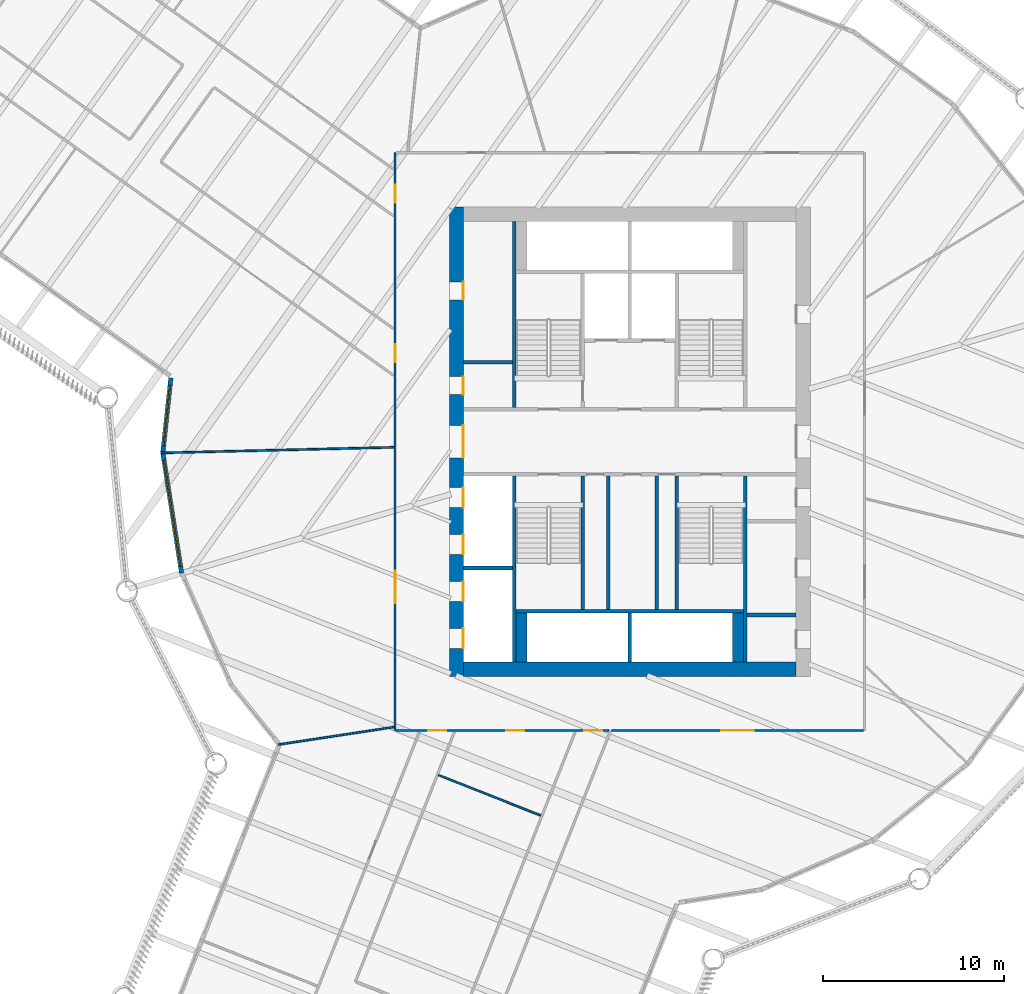
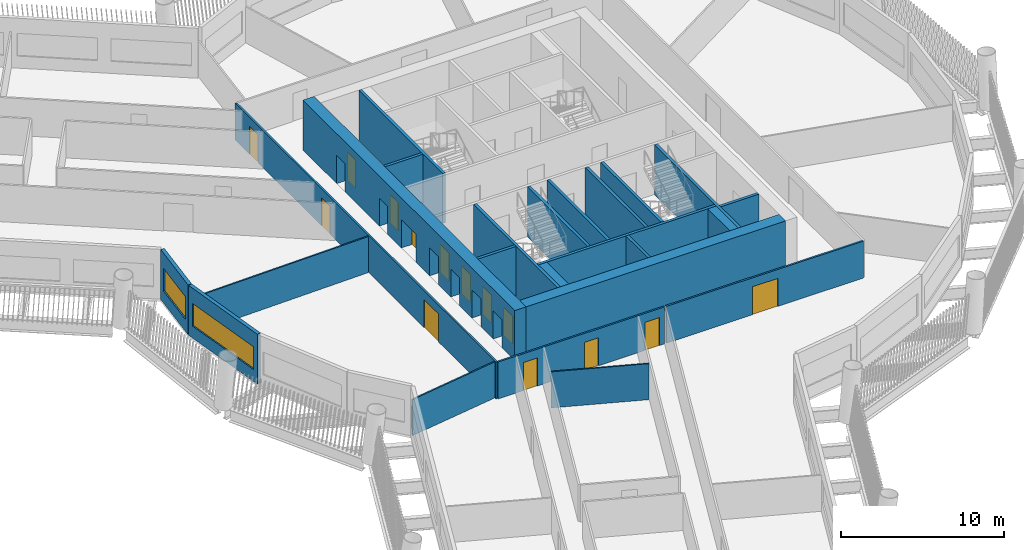
# One storey, part 4 of 17: 24 walls, 14 doors, 2 windows, 16 openings.
"""IFC4 building model written with IfcOpenShell, lengths in metres."""

from ifc_helpers import new_model, si_unit, direction, frame, frame_2d, origin, place, context, subcontext, project, spatial, rectangle, extrude, material, layer, layer_set, type_object, element, fill, save


model = new_model("IFC4")

# Units and contexts
model_context = context("Model", 3, precision=1e-05, world=origin(), true_north=direction((0.0, 1.0)))
body_context = subcontext(model_context, "Body", "Model", "MODEL_VIEW")
ifc_project = project(units=[si_unit("LENGTHUNIT", "METRE"), si_unit("AREAUNIT", "SQUARE_METRE"), si_unit("VOLUMEUNIT", "CUBIC_METRE"), si_unit("PLANEANGLEUNIT", "RADIAN"), si_unit("MASSUNIT", "GRAM", prefix="KILO")], contexts=[model_context])

# Site, building, storey
site_placement = place(None, origin())
site = spatial("IfcSite", under=ifc_project, at=site_placement, CompositionType="ELEMENT")
building_placement = place(site_placement, origin())
building = spatial("IfcBuilding", under=site, at=building_placement, Name="Tarsis Ring Headquarters", CompositionType="ELEMENT")
storey_placement = place(building_placement, frame((0.0, 0.0, 127.89990234375)))
storey = spatial("IfcBuildingStorey", under=building, at=storey_placement, Name="L29", CompositionType="ELEMENT", Elevation=127.89990234375)

# Walls
ifc_material_1 = material(Name="Blockwork", Category="masonry")
ifc_layer_1 = layer(ifc_material_1, 0.199951171875)
ifc_layer_set_1 = layer_set([ifc_layer_1], Name="Core blockwork wall 200")
wall_type_1 = type_object("IfcWallType", Name="Core blockwork wall 200", PredefinedType="PARTITIONING", material=ifc_layer_set_1)
for number, where, z_axis, x_axis, name in (
    (1, (-9.199951171875, 4.39990234375, 0.0), (0.0, 0.0, 1.0), (1.0, 0.0, 0.0), "Core partition WD5"),
    (2, (6.5, -9.60009765625, 0.0), (0.0, 0.0, 1.0), (1.0, 0.0, 0.0), "Core partition ED1"),
):
    element("IfcWall", number, at=place(storey_placement, frame(where, z_axis=z_axis, x_axis=x_axis)), inside=storey, type_object=wall_type_1, Name=name, PredefinedType="PARTITIONING", context=body_context, shape_type="SweptSolid", body=[
        extrude(rectangle(XDim=2.699951171875, YDim=0.199951171875, at=frame_2d((1.35009765625, 0.0))), origin(), (0.0, 0.0, 1.0), 3.739990234375),
    ])
for number, where, z_axis, x_axis, name in (
    (3, (-1.199951171875, -9.300048828125, 0.0), (0.0, 0.0, 1.0), (0.0, 1.0, 0.0), "Core partition SV1"),
    (4, (1.5, -9.300048828125, 0.0), (0.0, 0.0, 1.0), (0.0, 1.0, 0.0), "Core partition SV2"),
):
    element("IfcWall", number, at=place(storey_placement, frame(where, z_axis=z_axis, x_axis=x_axis)), inside=storey, type_object=wall_type_1, Name=name, PredefinedType="PARTITIONING", context=body_context, shape_type="SweptSolid", body=[
        extrude(rectangle(XDim=7.400146484375, YDim=0.199951171875, at=frame_2d((3.7001953125, 0.0))), origin(), (0.0, 0.0, 1.0), 3.739990234375),
    ])

# Wall, openings, doors
ifc_material_2 = material(Name="Concrete C60/75", Category="concrete")
ifc_layer_2 = layer(ifc_material_2, 0.800048828125)
ifc_layer_set_2 = layer_set([ifc_layer_2], Name="Core wall 800 C60/75")
wall_type_2 = type_object("IfcWallType", Name="Core wall 800 C60/75", PredefinedType="SHEAR", material=ifc_layer_set_2)
wall_1_placement = place(storey_placement, frame((-9.60009765625, -13.0, 0.0), z_axis=(0.0, 0.0, 1.0), x_axis=(0.0, 1.0, 0.0)))
wall_1 = element("IfcWall", 5, at=wall_1_placement, inside=storey, type_object=wall_type_2, Name="Core wall OW", PredefinedType="SHEAR", context=body_context, shape_type="SweptSolid", body=[
    extrude(rectangle(XDim=26.0, YDim=0.800048828125, at=frame_2d((13.0, 0.0))), origin(), (0.0, 0.0, 1.0), 3.739990234375),
])
opening_1_placement = place(wall_1_placement, frame((1.550048828125, 0.0, 0.0)))
opening_1 = element("IfcOpeningElement", 6, at=opening_1_placement, cuts=wall_1, Name="Opening LD-LR1", PredefinedType="OPENING", context=body_context, shape_type="SweptSolid", body=[
    extrude(rectangle(XDim=1.10009765625, YDim=2.10009765625, at=frame_2d((0.550048828125, 1.050048828125))), frame((0.0, 0.409912109375, 0.0), z_axis=(0.0, -1.0, 0.0), x_axis=(1.0, 0.0, 0.0)), (0.0, 0.0, 1.0), 0.820068359375),
])
opening_2_placement = place(wall_1_placement, frame((4.14990234375, 0.0, 0.0)))
opening_2 = element("IfcOpeningElement", 7, at=opening_2_placement, cuts=wall_1, Name="Opening LD-LR2", PredefinedType="OPENING", context=body_context, shape_type="SweptSolid", body=[
    extrude(rectangle(XDim=1.10009765625, YDim=2.10009765625, at=frame_2d((0.550048828125, 1.050048828125))), frame((0.0, 0.409912109375, 0.0), z_axis=(0.0, -1.0, 0.0), x_axis=(1.0, 0.0, 0.0)), (0.0, 0.0, 1.0), 0.820068359375),
])
opening_3_placement = place(wall_1_placement, frame((6.75, 0.0, 0.0)))
opening_3 = element("IfcOpeningElement", 8, at=opening_3_placement, cuts=wall_1, Name="Opening LD-LR3", PredefinedType="OPENING", context=body_context, shape_type="SweptSolid", body=[
    extrude(rectangle(XDim=1.10009765625, YDim=2.10009765625, at=frame_2d((0.550048828125, 1.050048828125))), frame((0.0, 0.409912109375, 0.0), z_axis=(0.0, -1.0, 0.0), x_axis=(1.0, 0.0, 0.0)), (0.0, 0.0, 1.0), 0.820068359375),
])
opening_4_placement = place(wall_1_placement, frame((9.35009765625, 0.0, 0.0)))
opening_4 = element("IfcOpeningElement", 9, at=opening_4_placement, cuts=wall_1, Name="Opening LD-LR4", PredefinedType="OPENING", context=body_context, shape_type="SweptSolid", body=[
    extrude(rectangle(XDim=1.10009765625, YDim=2.10009765625, at=frame_2d((0.550048828125, 1.050048828125))), frame((0.0, 0.409912109375, 0.0), z_axis=(0.0, -1.0, 0.0), x_axis=(1.0, 0.0, 0.0)), (0.0, 0.0, 1.0), 0.820068359375),
])
opening_5_placement = place(wall_1_placement, frame((12.10009765625, 0.0, 0.0)))
opening_5 = element("IfcOpeningElement", 10, at=opening_5_placement, cuts=wall_1, Name="Opening L29-C05", PredefinedType="OPENING", context=body_context, shape_type="SweptSolid", body=[
    extrude(rectangle(XDim=1.800048828125, YDim=2.10009765625, at=frame_2d((0.89990234375, 1.050048828125))), frame((0.0, 0.409912109375, 0.0), z_axis=(0.0, -1.0, 0.0), x_axis=(1.0, 0.0, 0.0)), (0.0, 0.0, 1.0), 0.820068359375),
])
opening_6_placement = place(wall_1_placement, frame((15.60009765625, 0.0, 0.0)))
opening_6 = element("IfcOpeningElement", 11, at=opening_6_placement, cuts=wall_1, Name="Opening L29-C06", PredefinedType="OPENING", context=body_context, shape_type="SweptSolid", body=[
    extrude(rectangle(XDim=1.0, YDim=2.10009765625, at=frame_2d((0.5, 1.050048828125))), frame((0.0, 0.409912109375, 0.0), z_axis=(0.0, -1.0, 0.0), x_axis=(1.0, 0.0, 0.0)), (0.0, 0.0, 1.0), 0.820068359375),
])
opening_7_placement = place(wall_1_placement, frame((20.85009765625, 0.0, 0.0)))
opening_7 = element("IfcOpeningElement", 12, at=opening_7_placement, cuts=wall_1, Name="Opening L29-C07", PredefinedType="OPENING", context=body_context, shape_type="SweptSolid", body=[
    extrude(rectangle(XDim=1.0, YDim=2.10009765625, at=frame_2d((0.5, 1.050048828125))), frame((0.0, 0.409912109375, 0.0), z_axis=(0.0, -1.0, 0.0), x_axis=(1.0, 0.0, 0.0)), (0.0, 0.0, 1.0), 0.820068359375),
])
ifc_material_3 = material(Name="Steel S355", Category="steel")
door_type_1 = type_object("IfcDoorType", Name="Core entry door 1800x2100", OperationType="DOUBLE_DOOR_SINGLE_SWING", PredefinedType="DOOR", material=ifc_material_3)
door_1_placement = place(opening_5_placement, origin())
door_1 = element("IfcDoor", 13, at=door_1_placement, inside=storey, type_object=door_type_1, Name="Core entry door L29", OperationType="DOUBLE_DOOR_SINGLE_SWING", OverallHeight=2.10009765625, OverallWidth=1.800048828125, PredefinedType="DOOR", context=body_context, shape_type="SweptSolid", body=[
    extrude(rectangle(XDim=1.800048828125, YDim=2.10009765625, at=frame_2d((0.89990234375, 1.050048828125))), frame((0.0, -0.35009765625, 0.0), z_axis=(0.0, -1.0, 0.0), x_axis=(1.0, 0.0, 0.0)), (0.0, 0.0, 1.0), 0.050048828125),
])
fill(opening_5, door_1)
door_type_2 = type_object("IfcDoorType", Name="Core room door 1000x2100", OperationType="SINGLE_SWING_LEFT", PredefinedType="DOOR", material=ifc_material_3)
door_2_placement = place(opening_6_placement, origin())
door_2 = element("IfcDoor", 14, at=door_2_placement, inside=storey, type_object=door_type_2, Name="Core room door L29", OperationType="SINGLE_SWING_LEFT", OverallHeight=2.10009765625, OverallWidth=1.0, PredefinedType="DOOR", context=body_context, shape_type="SweptSolid", body=[
    extrude(rectangle(XDim=1.0, YDim=2.10009765625, at=frame_2d((0.5, 1.050048828125))), frame((0.0, -0.35009765625, 0.0), z_axis=(0.0, -1.0, 0.0), x_axis=(1.0, 0.0, 0.0)), (0.0, 0.0, 1.0), 0.050048828125),
])
fill(opening_6, door_2)
door_3_placement = place(opening_7_placement, origin())
door_3 = element("IfcDoor", 15, at=door_3_placement, inside=storey, type_object=door_type_2, Name="Core room door L29", OperationType="SINGLE_SWING_LEFT", OverallHeight=2.10009765625, OverallWidth=1.0, PredefinedType="DOOR", context=body_context, shape_type="SweptSolid", body=[
    extrude(rectangle(XDim=1.0, YDim=2.10009765625, at=frame_2d((0.5, 1.050048828125))), frame((0.0, -0.35009765625, 0.0), z_axis=(0.0, -1.0, 0.0), x_axis=(1.0, 0.0, 0.0)), (0.0, 0.0, 1.0), 0.050048828125),
])
fill(opening_7, door_3)
door_type_3 = type_object("IfcDoorType", Name="Landing door 1100x2100", OperationType="SLIDING_TO_LEFT", PredefinedType="DOOR", material=ifc_material_3)
door_4_placement = place(opening_1_placement, origin())
door_4 = element("IfcDoor", 16, at=door_4_placement, inside=storey, type_object=door_type_3, Name="Landing door LR1 L29", OperationType="SLIDING_TO_LEFT", OverallHeight=2.10009765625, OverallWidth=1.10009765625, PredefinedType="DOOR", context=body_context, shape_type="SweptSolid", body=[
    extrude(rectangle(XDim=1.10009765625, YDim=2.10009765625, at=frame_2d((0.550048828125, 1.050048828125))), frame((0.0, -0.35009765625, 0.0), z_axis=(0.0, -1.0, 0.0), x_axis=(1.0, 0.0, 0.0)), (0.0, 0.0, 1.0), 0.050048828125),
])
fill(opening_1, door_4)
door_5_placement = place(opening_2_placement, origin())
door_5 = element("IfcDoor", 17, at=door_5_placement, inside=storey, type_object=door_type_3, Name="Landing door LR2 L29", OperationType="SLIDING_TO_LEFT", OverallHeight=2.10009765625, OverallWidth=1.10009765625, PredefinedType="DOOR", context=body_context, shape_type="SweptSolid", body=[
    extrude(rectangle(XDim=1.10009765625, YDim=2.10009765625, at=frame_2d((0.550048828125, 1.050048828125))), frame((0.0, -0.35009765625, 0.0), z_axis=(0.0, -1.0, 0.0), x_axis=(1.0, 0.0, 0.0)), (0.0, 0.0, 1.0), 0.050048828125),
])
fill(opening_2, door_5)
door_6_placement = place(opening_3_placement, origin())
door_6 = element("IfcDoor", 18, at=door_6_placement, inside=storey, type_object=door_type_3, Name="Landing door LR3 L29", OperationType="SLIDING_TO_LEFT", OverallHeight=2.10009765625, OverallWidth=1.10009765625, PredefinedType="DOOR", context=body_context, shape_type="SweptSolid", body=[
    extrude(rectangle(XDim=1.10009765625, YDim=2.10009765625, at=frame_2d((0.550048828125, 1.050048828125))), frame((0.0, -0.35009765625, 0.0), z_axis=(0.0, -1.0, 0.0), x_axis=(1.0, 0.0, 0.0)), (0.0, 0.0, 1.0), 0.050048828125),
])
fill(opening_3, door_6)
door_7_placement = place(opening_4_placement, origin())
door_7 = element("IfcDoor", 19, at=door_7_placement, inside=storey, type_object=door_type_3, Name="Landing door LR4 L29", OperationType="SLIDING_TO_LEFT", OverallHeight=2.10009765625, OverallWidth=1.10009765625, PredefinedType="DOOR", context=body_context, shape_type="SweptSolid", body=[
    extrude(rectangle(XDim=1.10009765625, YDim=2.10009765625, at=frame_2d((0.550048828125, 1.050048828125))), frame((0.0, -0.35009765625, 0.0), z_axis=(0.0, -1.0, 0.0), x_axis=(1.0, 0.0, 0.0)), (0.0, 0.0, 1.0), 0.050048828125),
])
fill(opening_4, door_7)

# Walls
wall_2_placement = place(storey_placement, frame((-9.199951171875, -12.60009765625, 0.0), z_axis=(0.0, 0.0, 1.0), x_axis=(1.0, 0.0, 0.0)))
element("IfcWall", 20, at=wall_2_placement, inside=storey, type_object=wall_type_2, Name="Core wall OS", PredefinedType="SHEAR", context=body_context, shape_type="SweptSolid", body=[
    extrude(rectangle(XDim=18.39990234375, YDim=0.800048828125, at=frame_2d((9.199951171875, 0.0))), origin(), (0.0, 0.0, 1.0), 3.739990234375),
])
ifc_material_4 = material(Name="Gypsum board on steel studs", Category="steel")
ifc_layer_3 = layer(ifc_material_4, 0.10009765625)
ifc_layer_set_3 = layer_set([ifc_layer_3], Name="FL partition 100 unrated")
wall_type_3 = type_object("IfcWallType", Name="FL partition 100 unrated", PredefinedType="PARTITIONING", material=ifc_layer_set_3)
wall_3_placement = place(storey_placement, frame((-25.940185546875, -0.625, 0.0), z_axis=(0.0, 0.0, 1.0), x_axis=(0.999709929508, 0.024084369271, 0.0)))
element("IfcWall", 21, at=wall_3_placement, inside=storey, type_object=wall_type_3, Name="Partition PW3", PredefinedType="PARTITIONING", context=body_context, shape_type="SweptSolid", body=[
    extrude(rectangle(XDim=12.873779296875, YDim=0.10009765625, at=frame_2d((6.43701171875, 0.0))), origin(), (0.0, 0.0, 1.0), 2.7001953125),
])
wall_4_placement = place(storey_placement, frame((-19.47900390625, -16.782958984375, 0.0), z_axis=(0.0, 0.0, 1.0), x_axis=(0.988679640403, 0.15004188966, 0.0)))
element("IfcWall", 22, at=wall_4_placement, inside=storey, type_object=wall_type_3, Name="Partition PW3", PredefinedType="PARTITIONING", context=body_context, shape_type="SweptSolid", body=[
    extrude(rectangle(XDim=6.482666015625, YDim=0.10009765625, at=frame_2d((3.2412109375, 0.0))), origin(), (0.0, 0.0, 1.0), 2.7001953125),
])
wall_5_placement = place(storey_placement, frame((-10.58935546875, -18.467529296875, 0.0), z_axis=(0.0, 0.0, 1.0), x_axis=(0.92964621007, -0.36845342189, 0.0)))
element("IfcWall", 23, at=wall_5_placement, inside=storey, type_object=wall_type_3, Name="Partition PW3", PredefinedType="PARTITIONING", context=body_context, shape_type="SweptSolid", body=[
    extrude(rectangle(XDim=6.080078125, YDim=0.10009765625, at=frame_2d((3.0400390625, 0.0))), origin(), (0.0, 0.0, 1.0), 2.7001953125),
])

# Wall, openings, doors
ifc_layer_4 = layer(ifc_material_4, 0.125)
ifc_layer_set_4 = layer_set([ifc_layer_4], Name="FL partition 125 EI 60 H2770")
wall_type_4 = type_object("IfcWallType", Name="FL partition 125 EI 60 H2770", PredefinedType="PARTITIONING", material=ifc_layer_set_4)
wall_6_placement = place(storey_placement, frame((-13.0, -16.0, 0.0), z_axis=(0.0, 0.0, 1.0), x_axis=(0.0, 1.0, 0.0)))
wall_6 = element("IfcWall", 24, at=wall_6_placement, inside=storey, type_object=wall_type_4, Name="Partition PW1", PredefinedType="PARTITIONING", context=body_context, shape_type="SweptSolid", body=[
    extrude(rectangle(XDim=32.0, YDim=0.125, at=frame_2d((16.0, 0.0))), origin(), (0.0, 0.0, 1.0), 2.77001953125),
])
opening_8_placement = place(wall_6_placement, frame((7.04150390625, 0.0, 0.0)))
opening_8 = element("IfcOpeningElement", 25, at=opening_8_placement, cuts=wall_6, Name="Opening D29.14", PredefinedType="OPENING", context=body_context, shape_type="SweptSolid", body=[
    extrude(rectangle(XDim=1.800048828125, YDim=2.10009765625, at=frame_2d((0.89990234375, 1.050048828125))), frame((0.0, 0.072509765625, 0.0), z_axis=(0.0, -1.0, 0.0), x_axis=(1.0, 0.0, 0.0)), (0.0, 0.0, 1.0), 0.14501953125),
])
opening_9_placement = place(wall_6_placement, frame((20.397705078125, 0.0, 0.0)))
opening_9 = element("IfcOpeningElement", 26, at=opening_9_placement, cuts=wall_6, Name="Opening D29.21", PredefinedType="OPENING", context=body_context, shape_type="SweptSolid", body=[
    extrude(rectangle(XDim=1.0, YDim=2.10009765625, at=frame_2d((0.5, 1.050048828125))), frame((0.0, 0.072509765625, 0.0), z_axis=(0.0, -1.0, 0.0), x_axis=(1.0, 0.0, 0.0)), (0.0, 0.0, 1.0), 0.14501953125),
])
opening_10_placement = place(wall_6_placement, frame((29.230224609375, 0.0, 0.0)))
opening_10 = element("IfcOpeningElement", 27, at=opening_10_placement, cuts=wall_6, Name="Opening D29.22", PredefinedType="OPENING", context=body_context, shape_type="SweptSolid", body=[
    extrude(rectangle(XDim=1.0, YDim=2.10009765625, at=frame_2d((0.5, 1.050048828125))), frame((0.0, 0.072509765625, 0.0), z_axis=(0.0, -1.0, 0.0), x_axis=(1.0, 0.0, 0.0)), (0.0, 0.0, 1.0), 0.14501953125),
])
ifc_material_5 = material(Name="Fire-rated timber door leaf in steel frame", Category="steel")
door_type_4 = type_object("IfcDoorType", Name="FL door FD60-1000", OperationType="NOTDEFINED", PredefinedType="DOOR", material=ifc_material_5)
door_8_placement = place(opening_9_placement, origin())
door_8 = element("IfcDoor", 28, at=door_8_placement, inside=storey, type_object=door_type_4, Name="Door D29.21", OperationType="SINGLE_SWING_RIGHT", OverallHeight=2.10009765625, OverallWidth=1.0, PredefinedType="DOOR", context=body_context, shape_type="SweptSolid", body=[
    extrude(rectangle(XDim=1.0, YDim=2.10009765625, at=frame_2d((0.5, 1.050048828125))), frame((0.0, 0.02490234375, 0.0), z_axis=(0.0, -1.0, 0.0), x_axis=(1.0, 0.0, 0.0)), (0.0, 0.0, 1.0), 0.050048828125),
])
fill(opening_9, door_8)
door_9_placement = place(opening_10_placement, origin())
door_9 = element("IfcDoor", 29, at=door_9_placement, inside=storey, type_object=door_type_4, Name="Door D29.22", OperationType="SINGLE_SWING_LEFT", OverallHeight=2.10009765625, OverallWidth=1.0, PredefinedType="DOOR", context=body_context, shape_type="SweptSolid", body=[
    extrude(rectangle(XDim=1.0, YDim=2.10009765625, at=frame_2d((0.5, 1.050048828125))), frame((0.0, 0.02490234375, 0.0), z_axis=(0.0, -1.0, 0.0), x_axis=(1.0, 0.0, 0.0)), (0.0, 0.0, 1.0), 0.050048828125),
])
fill(opening_10, door_9)
door_type_5 = type_object("IfcDoorType", Name="FL door FD60-1800", OperationType="DOUBLE_DOOR_SINGLE_SWING", PredefinedType="DOOR", material=ifc_material_5)
door_10_placement = place(opening_8_placement, origin())
door_10 = element("IfcDoor", 30, at=door_10_placement, inside=storey, type_object=door_type_5, Name="Door D29.14", OperationType="DOUBLE_DOOR_SINGLE_SWING", OverallHeight=2.10009765625, OverallWidth=1.800048828125, PredefinedType="DOOR", context=body_context, shape_type="SweptSolid", body=[
    extrude(rectangle(XDim=1.800048828125, YDim=2.10009765625, at=frame_2d((0.89990234375, 1.050048828125))), frame((0.0, 0.02490234375, 0.0), z_axis=(0.0, -1.0, 0.0), x_axis=(1.0, 0.0, 0.0)), (0.0, 0.0, 1.0), 0.050048828125),
])
fill(opening_8, door_10)

wall_7_placement = place(storey_placement, frame((-12.93994140625, -16.0, 0.0), z_axis=(0.0, 0.0, 1.0), x_axis=(1.0, 0.0, 0.0)))
wall_7 = element("IfcWall", 31, at=wall_7_placement, inside=storey, type_object=wall_type_4, Name="Partition PW1", PredefinedType="PARTITIONING", context=body_context, shape_type="SweptSolid", body=[
    extrude(rectangle(XDim=11.788330078125, YDim=0.125, at=frame_2d((5.89404296875, 0.0))), origin(), (0.0, 0.0, 1.0), 2.77001953125),
])
opening_11_placement = place(wall_7_placement, frame((6.0986328125, 0.0, 0.0)))
opening_11 = element("IfcOpeningElement", 32, at=opening_11_placement, cuts=wall_7, Name="Opening D29.17", PredefinedType="OPENING", context=body_context, shape_type="SweptSolid", body=[
    extrude(rectangle(XDim=1.0, YDim=2.10009765625, at=frame_2d((0.5, 1.050048828125))), frame((0.0, 0.072509765625, 0.0), z_axis=(0.0, -1.0, 0.0), x_axis=(1.0, 0.0, 0.0)), (0.0, 0.0, 1.0), 0.14501953125),
])
opening_12_placement = place(wall_7_placement, frame((1.78515625, 0.0, 0.0)))
opening_12 = element("IfcOpeningElement", 33, at=opening_12_placement, cuts=wall_7, Name="Opening D29.19", PredefinedType="OPENING", context=body_context, shape_type="SweptSolid", body=[
    extrude(rectangle(XDim=1.0, YDim=2.10009765625, at=frame_2d((0.5, 1.050048828125))), frame((0.0, 0.072509765625, 0.0), z_axis=(0.0, -1.0, 0.0), x_axis=(1.0, 0.0, 0.0)), (0.0, 0.0, 1.0), 0.14501953125),
])
opening_13_placement = place(wall_7_placement, frame((10.412109375, 0.0, 0.0)))
opening_13 = element("IfcOpeningElement", 34, at=opening_13_placement, cuts=wall_7, Name="Opening D29.20", PredefinedType="OPENING", context=body_context, shape_type="SweptSolid", body=[
    extrude(rectangle(XDim=1.0, YDim=2.10009765625, at=frame_2d((0.5, 1.050048828125))), frame((0.0, 0.072509765625, 0.0), z_axis=(0.0, -1.0, 0.0), x_axis=(1.0, 0.0, 0.0)), (0.0, 0.0, 1.0), 0.14501953125),
])
door_11_placement = place(opening_11_placement, origin())
door_11 = element("IfcDoor", 35, at=door_11_placement, inside=storey, type_object=door_type_4, Name="Door D29.17", OperationType="SINGLE_SWING_RIGHT", OverallHeight=2.10009765625, OverallWidth=1.0, PredefinedType="DOOR", context=body_context, shape_type="SweptSolid", body=[
    extrude(rectangle(XDim=1.0, YDim=2.10009765625, at=frame_2d((0.5, 1.050048828125))), frame((0.0, 0.02490234375, 0.0), z_axis=(0.0, -1.0, 0.0), x_axis=(1.0, 0.0, 0.0)), (0.0, 0.0, 1.0), 0.050048828125),
])
fill(opening_11, door_11)
door_12_placement = place(opening_12_placement, origin())
door_12 = element("IfcDoor", 36, at=door_12_placement, inside=storey, type_object=door_type_4, Name="Door D29.19", OperationType="SINGLE_SWING_RIGHT", OverallHeight=2.10009765625, OverallWidth=1.0, PredefinedType="DOOR", context=body_context, shape_type="SweptSolid", body=[
    extrude(rectangle(XDim=1.0, YDim=2.10009765625, at=frame_2d((0.5, 1.050048828125))), frame((0.0, 0.02490234375, 0.0), z_axis=(0.0, -1.0, 0.0), x_axis=(1.0, 0.0, 0.0)), (0.0, 0.0, 1.0), 0.050048828125),
])
fill(opening_12, door_12)
door_13_placement = place(opening_13_placement, origin())
door_13 = element("IfcDoor", 37, at=door_13_placement, inside=storey, type_object=door_type_4, Name="Door D29.20", OperationType="SINGLE_SWING_LEFT", OverallHeight=2.10009765625, OverallWidth=1.0, PredefinedType="DOOR", context=body_context, shape_type="SweptSolid", body=[
    extrude(rectangle(XDim=1.0, YDim=2.10009765625, at=frame_2d((0.5, 1.050048828125))), frame((0.0, 0.02490234375, 0.0), z_axis=(0.0, -1.0, 0.0), x_axis=(1.0, 0.0, 0.0)), (0.0, 0.0, 1.0), 0.050048828125),
])
fill(opening_13, door_13)

# Wall, opening, door
wall_8_placement = place(storey_placement, frame((-1.001708984375, -16.0, 0.0), z_axis=(0.0, 0.0, 1.0), x_axis=(1.0, 0.0, 0.0)))
wall_8 = element("IfcWall", 38, at=wall_8_placement, inside=storey, type_object=wall_type_4, Name="Partition PW1", PredefinedType="PARTITIONING", context=body_context, shape_type="SweptSolid", body=[
    extrude(rectangle(XDim=13.939697265625, YDim=0.125, at=frame_2d((6.9697265625, 0.0))), origin(), (0.0, 0.0, 1.0), 2.77001953125),
])
opening_14_placement = place(wall_8_placement, frame((6.07080078125, 0.0, 0.0)))
opening_14 = element("IfcOpeningElement", 39, at=opening_14_placement, cuts=wall_8, Name="Opening D29.09", PredefinedType="OPENING", context=body_context, shape_type="SweptSolid", body=[
    extrude(rectangle(XDim=1.800048828125, YDim=2.10009765625, at=frame_2d((0.89990234375, 1.050048828125))), frame((0.0, 0.072509765625, 0.0), z_axis=(0.0, -1.0, 0.0), x_axis=(1.0, 0.0, 0.0)), (0.0, 0.0, 1.0), 0.14501953125),
])
door_14_placement = place(opening_14_placement, origin())
door_14 = element("IfcDoor", 40, at=door_14_placement, inside=storey, type_object=door_type_5, Name="Door D29.09", OperationType="DOUBLE_DOOR_SINGLE_SWING", OverallHeight=2.10009765625, OverallWidth=1.800048828125, PredefinedType="DOOR", context=body_context, shape_type="SweptSolid", body=[
    extrude(rectangle(XDim=1.800048828125, YDim=2.10009765625, at=frame_2d((0.89990234375, 1.050048828125))), frame((0.0, 0.02490234375, 0.0), z_axis=(0.0, -1.0, 0.0), x_axis=(1.0, 0.0, 0.0)), (0.0, 0.0, 1.0), 0.050048828125),
])
fill(opening_14, door_14)

# Wall, opening, window
ifc_material_6 = material(Name="Terracotta clad insulated panel wall", Category="masonry")
ifc_layer_5 = layer(ifc_material_6, 0.25)
ifc_layer_set_5 = layer_set([ifc_layer_5], Name="Facade wall terracotta panel 250")
wall_type_5 = type_object("IfcWallType", Name="Facade wall terracotta panel 250", PredefinedType="STANDARD", material=ifc_layer_set_5)
wall_9_placement = place(storey_placement, frame((-25.42138671875, 3.527099609375, 0.0), z_axis=(0.0, 0.0, 1.0), x_axis=(-0.106640942261, -0.994297596011, 0.0)))
wall_9 = element("IfcWall", 41, at=wall_9_placement, inside=storey, type_object=wall_type_5, Name="External wall L29-02", PredefinedType="STANDARD", context=body_context, shape_type="SweptSolid", body=[
    extrude(rectangle(XDim=4.157470703125, YDim=0.25, at=frame_2d((2.07861328125, 0.0))), origin(), (0.0, 0.0, 1.0), 3.739990234375),
])
opening_15_placement = place(wall_9_placement, frame((0.420166015625, 0.0, 0.89990234375)))
opening_15 = element("IfcOpeningElement", 42, at=opening_15_placement, cuts=wall_9, Name="Opening WN01", PredefinedType="OPENING", context=body_context, shape_type="SweptSolid", body=[
    extrude(rectangle(XDim=3.35009765625, YDim=1.699951171875, at=frame_2d((1.675048828125, 0.85009765625))), frame((0.0, 0.135009765625, 0.0), z_axis=(0.0, -1.0, 0.0), x_axis=(1.0, 0.0, 0.0)), (0.0, 0.0, 1.0), 0.27001953125),
])
ifc_material_7 = material(Name="Aluminium framed double glazing", Category="aluminium")
window_type_1 = type_object("IfcWindowType", Name="Facade window 3350 x 1700", PartitioningType="SINGLE_PANEL", PredefinedType="WINDOW", material=ifc_material_7)
window_1_placement = place(opening_15_placement, origin())
window_1 = element("IfcWindow", 43, at=window_1_placement, inside=storey, type_object=window_type_1, Name="Window L29-02.1", OverallHeight=1.699951171875, OverallWidth=3.35009765625, PartitioningType="SINGLE_PANEL", PredefinedType="WINDOW", context=body_context, shape_type="SweptSolid", body=[
    extrude(rectangle(XDim=3.35009765625, YDim=1.699951171875, at=frame_2d((1.675048828125, 0.85009765625))), frame((0.0, 0.030029296875, 0.0), z_axis=(0.0, -1.0, 0.0), x_axis=(1.0, 0.0, 0.0)), (0.0, 0.0, 1.0), 0.06005859375),
])
fill(opening_15, window_1)

wall_10_placement = place(storey_placement, frame((-25.86376953125, -0.639404296875, 0.0), z_axis=(0.0, 0.0, 1.0), x_axis=(0.154335882733, -0.988018438745, 0.0)))
wall_10 = element("IfcWall", 44, at=wall_10_placement, inside=storey, type_object=wall_type_5, Name="External wall L29-03", PredefinedType="STANDARD", context=body_context, shape_type="SweptSolid", body=[
    extrude(rectangle(XDim=6.721435546875, YDim=0.25, at=frame_2d((3.36083984375, 0.0))), origin(), (0.0, 0.0, 1.0), 3.739990234375),
])
opening_16_placement = place(wall_10_placement, frame((0.3857421875, 0.0, 0.89990234375)))
opening_16 = element("IfcOpeningElement", 45, at=opening_16_placement, cuts=wall_10, Name="Opening WN07", PredefinedType="OPENING", context=body_context, shape_type="SweptSolid", body=[
    extrude(rectangle(XDim=5.949951171875, YDim=1.699951171875, at=frame_2d((2.97509765625, 0.85009765625))), frame((0.0, 0.135009765625, 0.0), z_axis=(0.0, -1.0, 0.0), x_axis=(1.0, 0.0, 0.0)), (0.0, 0.0, 1.0), 0.27001953125),
])
window_type_2 = type_object("IfcWindowType", Name="Facade window 5950 x 1700", PartitioningType="SINGLE_PANEL", PredefinedType="WINDOW", material=ifc_material_7)
window_2_placement = place(opening_16_placement, origin())
window_2 = element("IfcWindow", 46, at=window_2_placement, inside=storey, type_object=window_type_2, Name="Window L29-03.1", OverallHeight=1.699951171875, OverallWidth=5.949951171875, PartitioningType="SINGLE_PANEL", PredefinedType="WINDOW", context=body_context, shape_type="SweptSolid", body=[
    extrude(rectangle(XDim=5.949951171875, YDim=1.699951171875, at=frame_2d((2.97509765625, 0.85009765625))), frame((0.0, 0.030029296875, 0.0), z_axis=(0.0, -1.0, 0.0), x_axis=(1.0, 0.0, 0.0)), (0.0, 0.0, 1.0), 0.06005859375),
])
fill(opening_16, window_2)

# Walls
ifc_material_8 = material(Name="Concrete C32/40", Category="concrete")
ifc_layer_6 = layer(ifc_material_8, 0.60009765625)
ifc_layer_set_6 = layer_set([ifc_layer_6], Name="Shaft end wall 600 C32/40")
wall_type_6 = type_object("IfcWallType", Name="Shaft end wall 600 C32/40", PredefinedType="SOLIDWALL", material=ifc_layer_set_6)
for number, where, z_axis, x_axis, name in (
    (47, (-6.0, -12.199951171875, 0.0), (0.0, 0.0, 1.0), (0.0, 1.0, 0.0), "Core shaft wall SNE1"),
    (48, (6.0, -12.199951171875, 0.0), (0.0, 0.0, 1.0), (0.0, 1.0, 0.0), "Core shaft wall SNE2"),
):
    element("IfcWall", number, at=place(storey_placement, frame(where, z_axis=z_axis, x_axis=x_axis)), inside=storey, type_object=wall_type_6, Name=name, PredefinedType="SOLIDWALL", context=body_context, shape_type="SweptSolid", body=[
        extrude(rectangle(XDim=2.699951171875, YDim=0.60009765625, at=frame_2d((1.35009765625, 0.0))), origin(), (0.0, 0.0, 1.0), 3.739990234375),
    ])
ifc_layer_7 = layer(ifc_material_8, 0.199951171875)
ifc_layer_set_7 = layer_set([ifc_layer_7], Name="Shaft wall 200 C32/40")
wall_type_7 = type_object("IfcWallType", Name="Shaft wall 200 C32/40", PredefinedType="SOLIDWALL", material=ifc_layer_set_7)
for number, where, z_axis, x_axis, name in (
    (49, (-6.39990234375, -12.199951171875, 0.0), (0.0, 0.0, 1.0), (0.0, 1.0, 0.0), "Core shaft wall WB1"),
    (50, (-6.39990234375, 1.89990234375, 0.0), (0.0, 0.0, 1.0), (0.0, 1.0, 0.0), "Core shaft wall WB2"),
    (51, (6.39990234375, -12.199951171875, 0.0), (0.0, 0.0, 1.0), (0.0, 1.0, 0.0), "Core shaft wall EB1"),
):
    element("IfcWall", number, at=place(storey_placement, frame(where, z_axis=z_axis, x_axis=x_axis)), inside=storey, type_object=wall_type_7, Name=name, PredefinedType="SOLIDWALL", context=body_context, shape_type="SweptSolid", body=[
        extrude(rectangle(XDim=10.300048828125, YDim=0.199951171875, at=frame_2d((5.14990234375, 0.0))), origin(), (0.0, 0.0, 1.0), 3.739990234375),
    ])
wall_11_placement = place(storey_placement, frame((-6.300048828125, -9.39990234375, 0.0), z_axis=(0.0, 0.0, 1.0), x_axis=(1.0, 0.0, 0.0)))
element("IfcWall", 52, at=wall_11_placement, inside=storey, type_object=wall_type_7, Name="Core shaft wall SB", PredefinedType="SOLIDWALL", context=body_context, shape_type="SweptSolid", body=[
    extrude(rectangle(XDim=12.60009765625, YDim=0.199951171875, at=frame_2d((6.300048828125, 0.0))), origin(), (0.0, 0.0, 1.0), 3.739990234375),
])
for number, where, z_axis, x_axis, name in (
    (53, (-2.60009765625, -9.300048828125, 0.0), (0.0, 0.0, 1.0), (0.0, 1.0, 0.0), "Core shaft wall SW3"),
    (54, (2.60009765625, -9.300048828125, 0.0), (0.0, 0.0, 1.0), (0.0, 1.0, 0.0), "Core shaft wall SW4"),
):
    element("IfcWall", number, at=place(storey_placement, frame(where, z_axis=z_axis, x_axis=x_axis)), inside=storey, type_object=wall_type_7, Name=name, PredefinedType="SOLIDWALL", context=body_context, shape_type="SweptSolid", body=[
        extrude(rectangle(XDim=7.400146484375, YDim=0.199951171875, at=frame_2d((3.7001953125, 0.0))), origin(), (0.0, 0.0, 1.0), 3.739990234375),
    ])
for number, where, z_axis, x_axis, name in (
    (55, (-9.199951171875, -7.0, 0.0), (0.0, 0.0, 1.0), (1.0, 0.0, 0.0), "Core shaft wall WD2"),
    (56, (0.0, -12.199951171875, 0.0), (0.0, 0.0, 1.0), (0.0, 1.0, 0.0), "Core shaft wall SD2"),
):
    element("IfcWall", number, at=place(storey_placement, frame(where, z_axis=z_axis, x_axis=x_axis)), inside=storey, type_object=wall_type_7, Name=name, PredefinedType="SOLIDWALL", context=body_context, shape_type="SweptSolid", body=[
        extrude(rectangle(XDim=2.699951171875, YDim=0.199951171875, at=frame_2d((1.35009765625, 0.0))), origin(), (0.0, 0.0, 1.0), 3.739990234375),
    ])

save(model, "model.ifc")
